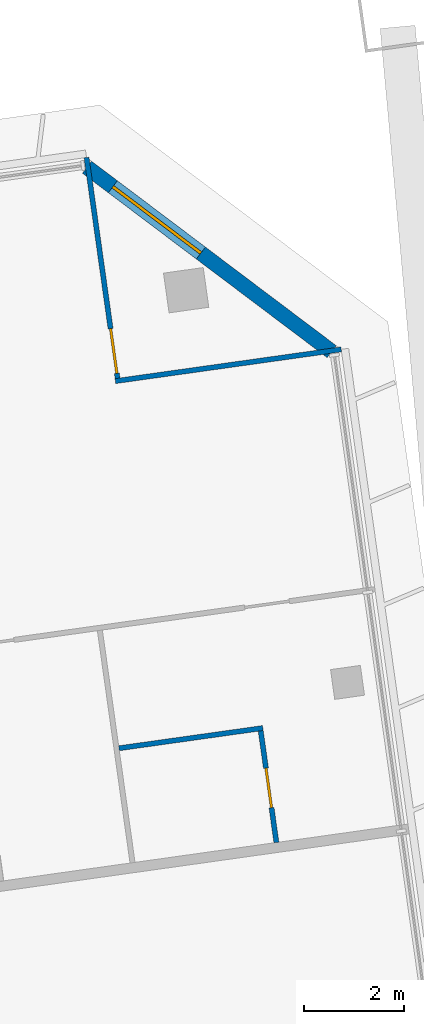
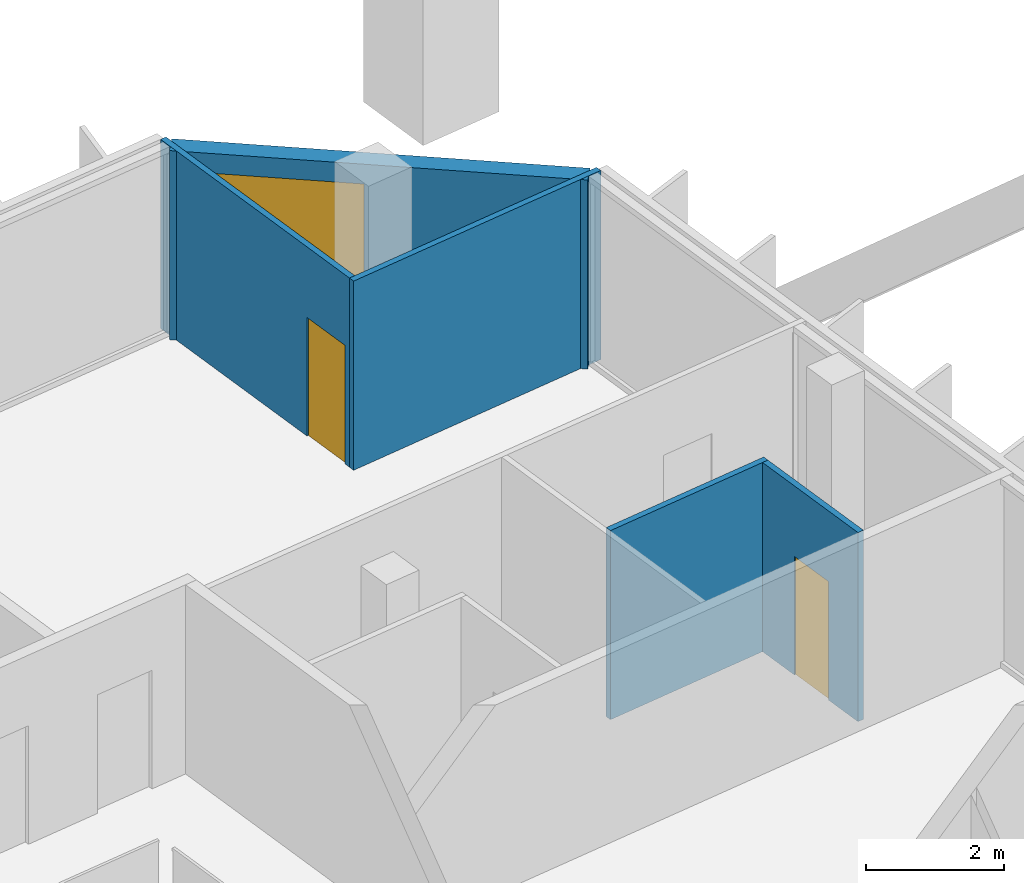
# One storey, part 24 of 28: 5 walls, 2 doors, 1 window, 3 openings.
"""IFC4 building model written with IfcOpenShell, lengths in metres."""

from ifc_helpers import new_model, si_unit, direction, frame, frame_2d, origin, place, context, subcontext, project, spatial, rectangle, extrude, material, layer, layer_set, type_object, element, fill, save


model = new_model("IFC4")

# Units and contexts
model_context = context("Model", 3, precision=1e-05, world=origin(), true_north=direction((0.0, 1.0)))
body_context = subcontext(model_context, "Body", "Model", "MODEL_VIEW")
ifc_project = project(units=[si_unit("LENGTHUNIT", "METRE"), si_unit("AREAUNIT", "SQUARE_METRE"), si_unit("VOLUMEUNIT", "CUBIC_METRE"), si_unit("PLANEANGLEUNIT", "RADIAN"), si_unit("MASSUNIT", "GRAM", prefix="KILO")], contexts=[model_context])

# Site, building, storey
site_placement = place(None, origin())
site = spatial("IfcSite", under=ifc_project, at=site_placement, CompositionType="ELEMENT")
building_placement = place(site_placement, origin())
building = spatial("IfcBuilding", under=site, at=building_placement, Name="Mirante Cascada Hotel Towers", CompositionType="ELEMENT")
storey_placement = place(building_placement, frame((0.0, 0.0, 165.0)))
storey = spatial("IfcBuildingStorey", under=building, at=storey_placement, Name="L38", CompositionType="ELEMENT", Elevation=165.0)

# Walls
ifc_material_1 = material(Name="Plasterboard on metal studs")
ifc_layer_1 = layer(ifc_material_1, 0.1)
ifc_layer_set_1 = layer_set([ifc_layer_1], Name="Partition 100")
wall_type_1 = type_object("IfcWallType", Name="Partition 100", PredefinedType="PARTITIONING", material=ifc_layer_set_1)
wall_1_placement = place(storey_placement, frame((85.9337, 13.1654, 0.0), z_axis=(0.0, 0.0, 1.0), x_axis=(0.9902683, 0.1391714, 0.0)))
element("IfcWall", 1, at=wall_1_placement, inside=storey, type_object=wall_type_1, Name="Wall 2-L38-13", PredefinedType="PARTITIONING", context=body_context, shape_type="SweptSolid", body=[
    extrude(rectangle(XDim=2.9, YDim=0.1, at=frame_2d((1.45, 0.0))), origin(), (0.0, 0.0, 1.0), 3.35),
])
wall_2_placement = place(storey_placement, frame((85.8632, 20.4936, 0.0), z_axis=(0.0, 0.0, 1.0), x_axis=(0.9902691, 0.1391656, 0.0)))
element("IfcWall", 2, at=wall_2_placement, inside=storey, type_object=wall_type_1, Name="Wall 2-L38-23", PredefinedType="PARTITIONING", context=body_context, shape_type="SweptSolid", body=[
    extrude(rectangle(XDim=4.55, YDim=0.1, at=frame_2d((2.275, 0.0))), origin(), (0.0, 0.0, 1.0), 3.35),
])

# Wall, opening, door
wall_3_placement = place(storey_placement, frame((85.9057, 20.55, 0.0), z_axis=(0.0, 0.0, 1.0), x_axis=(-0.1391684, 0.9902687, 0.0)))
wall_3 = element("IfcWall", 3, at=wall_3_placement, inside=storey, type_object=wall_type_1, Name="Wall 2-L38-49", PredefinedType="PARTITIONING", context=body_context, shape_type="SweptSolid", body=[
    extrude(rectangle(XDim=4.45, YDim=0.1, at=frame_2d((2.225, 0.0))), origin(), (0.0, 0.0, 1.0), 3.35),
])
opening_1_placement = place(wall_3_placement, frame((0.1, 0.0, 0.0)))
opening_1 = element("IfcOpeningElement", 4, at=opening_1_placement, cuts=wall_3, Name="Opening D2-L38-33", PredefinedType="OPENING", context=body_context, shape_type="SweptSolid", body=[
    extrude(rectangle(XDim=0.9, YDim=2.1, at=frame_2d((0.45, 1.05))), frame((0.0, 0.05, 0.0), z_axis=(0.0, -1.0, 0.0), x_axis=(1.0, 0.0, 0.0)), (0.0, 0.0, 1.0), 0.1),
])
ifc_material_2 = material(Name="Timber door leaf", Category="wood")
door_type_1 = type_object("IfcDoorType", Name="Room door DG3 900x2100", OperationType="SINGLE_SWING_LEFT", PredefinedType="DOOR", material=ifc_material_2)
door_1_placement = place(opening_1_placement, origin())
door_1 = element("IfcDoor", 5, at=door_1_placement, inside=storey, type_object=door_type_1, Name="Door D2-L38-33", OperationType="SINGLE_SWING_LEFT", OverallHeight=2.1, OverallWidth=0.9, PredefinedType="DOOR", context=body_context, shape_type="SweptSolid", body=[
    extrude(rectangle(XDim=0.9, YDim=2.1, at=frame_2d((0.45, 1.05))), frame((0.0, 0.025, 0.0), z_axis=(0.0, -1.0, 0.0), x_axis=(1.0, 0.0, 0.0)), (0.0, 0.0, 1.0), 0.05),
])
fill(opening_1, door_1)

wall_4_placement = place(storey_placement, frame((88.763, 13.5125, 0.0), z_axis=(0.0, 0.0, 1.0), x_axis=(0.1391561, -0.9902705, 0.0)))
wall_4 = element("IfcWall", 6, at=wall_4_placement, inside=storey, type_object=wall_type_1, Name="Wall 2-L38-50", PredefinedType="PARTITIONING", context=body_context, shape_type="SweptSolid", body=[
    extrude(rectangle(XDim=2.25, YDim=0.1, at=frame_2d((1.125, 0.0))), origin(), (0.0, 0.0, 1.0), 3.35),
])
opening_2_placement = place(wall_4_placement, frame((0.75, 0.0, 0.0)))
opening_2 = element("IfcOpeningElement", 7, at=opening_2_placement, cuts=wall_4, Name="Opening D2-L38-34", PredefinedType="OPENING", context=body_context, shape_type="SweptSolid", body=[
    extrude(rectangle(XDim=0.8, YDim=2.1, at=frame_2d((0.4, 1.05))), frame((0.0, 0.05, 0.0), z_axis=(0.0, -1.0, 0.0), x_axis=(1.0, 0.0, 0.0)), (0.0, 0.0, 1.0), 0.1),
])
ifc_material_3 = material(Name="Timber door leaf", Category="wood")
door_type_2 = type_object("IfcDoorType", Name="Bathroom door DG4 800x2100", OperationType="SINGLE_SWING_LEFT", PredefinedType="DOOR", material=ifc_material_3)
door_2_placement = place(opening_2_placement, frame((0.8, 0.0, 0.0), z_axis=(0.0, 0.0, 1.0), x_axis=(-1.0, 0.0, 0.0)))
door_2 = element("IfcDoor", 8, at=door_2_placement, inside=storey, type_object=door_type_2, Name="Door D2-L38-34", OperationType="SINGLE_SWING_RIGHT", OverallHeight=2.1, OverallWidth=0.8, PredefinedType="DOOR", context=body_context, shape_type="SweptSolid", body=[
    extrude(rectangle(XDim=0.8, YDim=2.1, at=frame_2d((0.4, 1.05))), frame((0.0, 0.025, 0.0), z_axis=(0.0, -1.0, 0.0), x_axis=(1.0, 0.0, 0.0)), (0.0, 0.0, 1.0), 0.05),
])
fill(opening_2, door_2)

# Wall, opening, window
ifc_material_4 = material(Name="Precast concrete C40/50", Category="concrete")
ifc_layer_2 = layer(ifc_material_4, 0.3)
ifc_layer_set_2 = layer_set([ifc_layer_2], Name="Precast concrete C40/50 cladding wall 300")
wall_type_2 = type_object("IfcWallType", Name="Precast concrete C40/50 cladding wall 300", PredefinedType="STANDARD", material=ifc_layer_set_2)
wall_5_placement = place(storey_placement, frame((90.1795, 21.0817, 0.0), z_axis=(0.0, 0.0, 1.0), x_axis=(-0.7986362, 0.6018141, 0.0)))
wall_5 = element("IfcWall", 9, at=wall_5_placement, inside=storey, type_object=wall_type_2, Name="Corner cladding wall T2 L38 outer front", PredefinedType="STANDARD", context=body_context, shape_type="SweptSolid", body=[
    extrude(rectangle(XDim=6.1157, YDim=0.3, at=frame_2d((3.0578, 0.0))), origin(), (0.0, 0.0, 1.0), 3.35),
])
opening_3_placement = place(wall_5_placement, frame((3.2692, 0.0, 0.6)))
opening_3 = element("IfcOpeningElement", 10, at=opening_3_placement, cuts=wall_5, Name="Opening W2-38-02", PredefinedType="OPENING", context=body_context, shape_type="SweptSolid", body=[
    extrude(rectangle(XDim=2.2, YDim=2.4, at=frame_2d((1.1, 1.2))), frame((0.0, 0.15, 0.0), z_axis=(0.0, -1.0, 0.0), x_axis=(1.0, 0.0, 0.0)), (0.0, 0.0, 1.0), 0.3),
])
ifc_material_5 = material(Name="Aluminium frame with clear double glazing", Category="aluminium")
window_type = type_object("IfcWindowType", Name="Corner suite window 2200x2400", PartitioningType="DOUBLE_PANEL_VERTICAL", PredefinedType="WINDOW", material=ifc_material_5)
window_placement = place(opening_3_placement, origin())
window = element("IfcWindow", 11, at=window_placement, inside=storey, type_object=window_type, Name="Window W2-38-02", OverallHeight=2.4, OverallWidth=2.2, PartitioningType="SINGLE_PANEL", PredefinedType="WINDOW", context=body_context, shape_type="SweptSolid", body=[
    extrude(rectangle(XDim=2.2, YDim=2.4, at=frame_2d((1.1, 1.2))), frame((0.0, 0.03, 0.0), z_axis=(0.0, -1.0, 0.0), x_axis=(1.0, 0.0, 0.0)), (0.0, 0.0, 1.0), 0.06),
])
fill(opening_3, window)

save(model, "model.ifc")
